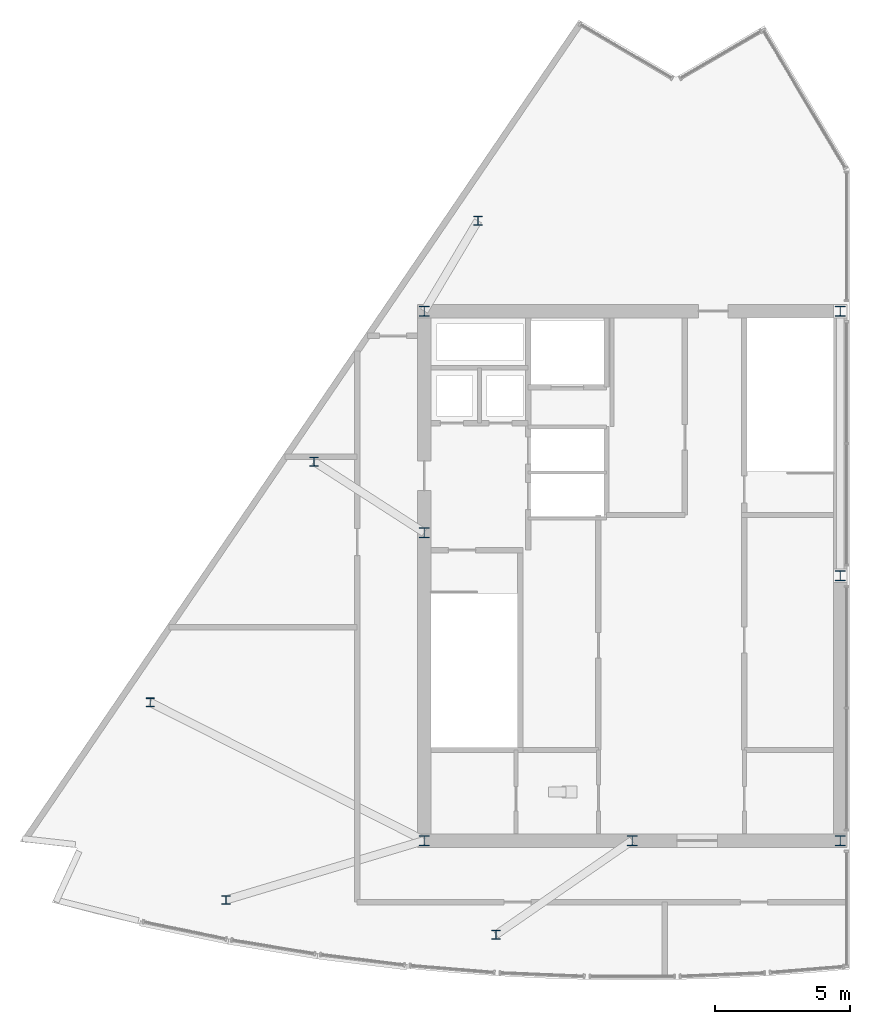
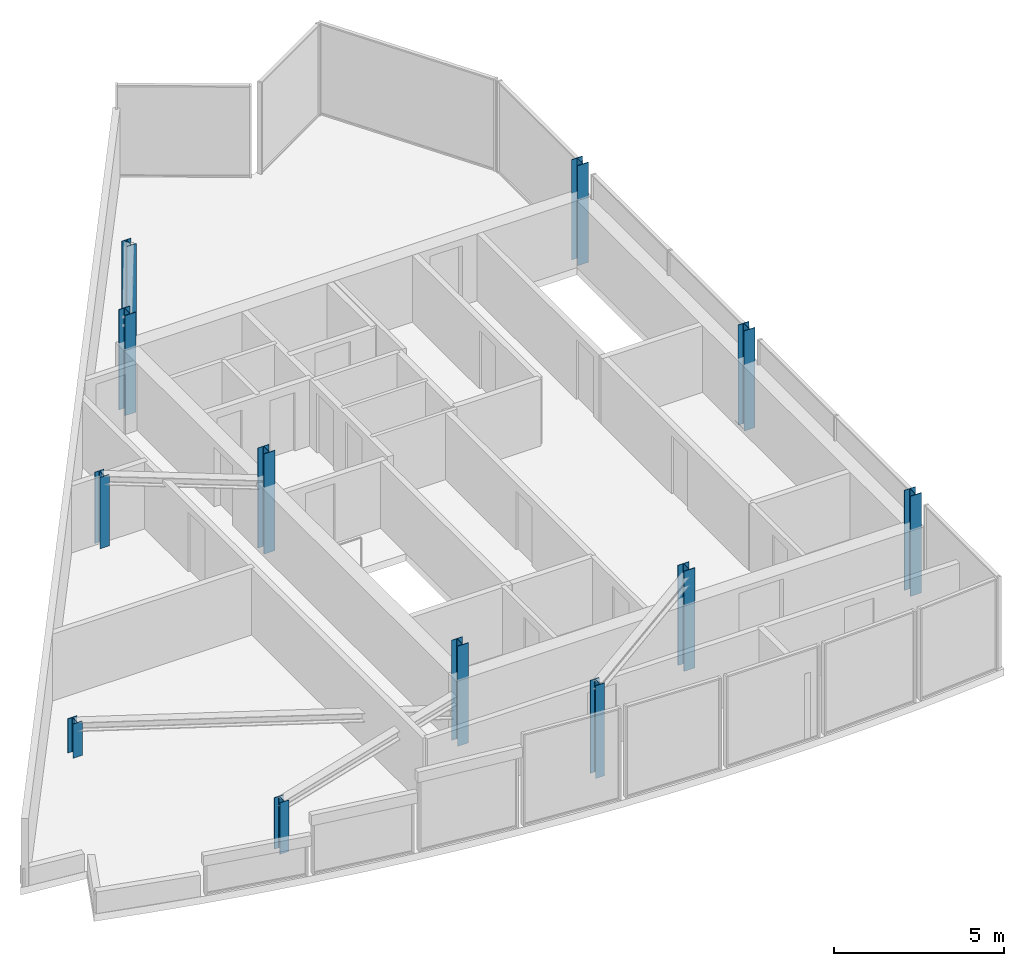
# One storey, part 1 of 7: 12 columns.
"""IFC4 building model written with IfcOpenShell, lengths in metres."""

from ifc_helpers import new_model, si_unit, direction, frame, origin, origin_2d, place, context, subcontext, project, spatial, i_section, extrude, material, material_profile, profile_set, type_object, element, save


model = new_model("IFC4")

# Units and contexts
model_context = context("Model", 3, precision=1e-05, world=origin(), true_north=direction((0.0, 1.0)))
body_context = subcontext(model_context, "Body", "Model", "MODEL_VIEW")
ifc_project = project(units=[si_unit("LENGTHUNIT", "METRE"), si_unit("AREAUNIT", "SQUARE_METRE"), si_unit("VOLUMEUNIT", "CUBIC_METRE"), si_unit("PLANEANGLEUNIT", "RADIAN"), si_unit("MASSUNIT", "GRAM", prefix="KILO")], contexts=[model_context])

# Site, building, storey
site_placement = place(None, origin())
site = spatial("IfcSite", under=ifc_project, at=site_placement, CompositionType="ELEMENT")
building_placement = place(site_placement, origin())
building = spatial("IfcBuilding", under=site, at=building_placement, Name="Savorim Split Tower", CompositionType="ELEMENT")
storey_placement = place(building_placement, frame((0.0, 0.0, 319.199951171875)))
storey = spatial("IfcBuildingStorey", under=building, at=storey_placement, Name="Crown L85 Plant", CompositionType="ELEMENT", Elevation=319.199951171875)

# Columns
ifc_material = material(Name="Steel S355", Category="steel")
ifc_material_profile_1 = material_profile(ifc_material, i_section(OverallWidth=0.30908203125, OverallDepth=0.330078125, WebThickness=0.011474609375, FlangeThickness=0.01904296875, FilletRadius=0.027099609375, at=origin_2d()), Name="HD 320x158")
ifc_profile_set_1 = profile_set([ifc_material_profile_1], Name="Steel S355")
column_type_1 = type_object("IfcColumnType", Name="COL-HD-158", PredefinedType="COLUMN", material=ifc_profile_set_1)
column_1_placement = place(storey_placement, frame((-15.037109375, -11.6015625, 0.0), z_axis=(0.0, 0.0, 1.0), x_axis=(1.0, 0.0, 0.0)))
element("IfcColumn", 1, at=column_1_placement, inside=storey, type_object=column_type_1, Name="Crown L85 Plant West Crown Column WC-1", PredefinedType="COLUMN", context=body_context, shape_type="SweptSolid", body=[
    extrude(i_section(OverallWidth=0.30908203125, OverallDepth=0.330078125, WebThickness=0.011474609375, FlangeThickness=0.01904296875, FilletRadius=0.027099609375, at=origin_2d()), origin(), (0.0, 0.0, 1.0), 1.846923828125),
])
column_2_placement = place(storey_placement, frame((-5.039794921875, -12.885009765625, 0.0), z_axis=(0.0, 0.0, 1.0), x_axis=(1.0, 0.0, 0.0)))
element("IfcColumn", 2, at=column_2_placement, inside=storey, type_object=column_type_1, Name="Crown L85 Plant West Crown Column WC-2", PredefinedType="COLUMN", context=body_context, shape_type="SweptSolid", body=[
    extrude(i_section(OverallWidth=0.30908203125, OverallDepth=0.330078125, WebThickness=0.011474609375, FlangeThickness=0.01904296875, FilletRadius=0.027099609375, at=origin_2d()), origin(), (0.0, 0.0, 1.0), 3.340087890625),
])
column_3_placement = place(storey_placement, frame((-17.84033203125, -4.288818359375, 0.0), z_axis=(0.0, 0.0, 1.0), x_axis=(1.0, 0.0, 0.0)))
element("IfcColumn", 3, at=column_3_placement, inside=storey, type_object=column_type_1, Name="Crown L85 Plant West Crown Column WC-3", PredefinedType="COLUMN", context=body_context, shape_type="SweptSolid", body=[
    extrude(i_section(OverallWidth=0.30908203125, OverallDepth=0.330078125, WebThickness=0.011474609375, FlangeThickness=0.01904296875, FilletRadius=0.027099609375, at=origin_2d()), origin(), (0.0, 0.0, 1.0), 1.230224609375),
])
column_4_placement = place(storey_placement, frame((-11.775390625, 4.626708984375, 0.0), z_axis=(0.0, 0.0, 1.0), x_axis=(1.0, 0.0, 0.0)))
element("IfcColumn", 4, at=column_4_placement, inside=storey, type_object=column_type_1, Name="Crown L85 Plant West Crown Column WC-4", PredefinedType="COLUMN", context=body_context, shape_type="SweptSolid", body=[
    extrude(i_section(OverallWidth=0.30908203125, OverallDepth=0.330078125, WebThickness=0.011474609375, FlangeThickness=0.01904296875, FilletRadius=0.027099609375, at=origin_2d()), origin(), (0.0, 0.0, 1.0), 2.564453125),
])
column_5_placement = place(storey_placement, frame((-5.710205078125, 13.542236328125, 0.0), z_axis=(0.0, 0.0, 1.0), x_axis=(1.0, 0.0, 0.0)))
element("IfcColumn", 5, at=column_5_placement, inside=storey, type_object=column_type_1, Name="Crown L85 Plant West Crown Column WC-5", PredefinedType="COLUMN", context=body_context, shape_type="SweptSolid", body=[
    extrude(i_section(OverallWidth=0.30908203125, OverallDepth=0.330078125, WebThickness=0.011474609375, FlangeThickness=0.01904296875, FilletRadius=0.027099609375, at=origin_2d()), origin(), (0.0, 0.0, 1.0), 3.340087890625),
])
ifc_material_profile_2 = material_profile(ifc_material, i_section(OverallWidth=0.3740234375, OverallDepth=0.3720703125, WebThickness=0.01220703125, FlangeThickness=0.02001953125, FilletRadius=0.014892578125, at=origin_2d()), Name="HD 360x196")
ifc_profile_set_2 = profile_set([ifc_material_profile_2], Name="Steel S355")
column_type_2 = type_object("IfcColumnType", Name="COL-HD-196", PredefinedType="COLUMN", material=ifc_profile_set_2)
for number, where, z_axis, x_axis, name in (
    (6, (-7.699951171875, -9.39990234375, 0.0), (0.0, 0.0, 1.0), (1.0, 0.0, 0.0), "Crown L85 Plant Core Structural Column TC-C1"),
    (7, (7.699951171875, -9.39990234375, 0.0), (0.0, 0.0, 1.0), (1.0, 0.0, 0.0), "Crown L85 Plant Core Structural Column TC-C2"),
    (8, (7.699951171875, 10.199951171875, 0.0), (0.0, 0.0, 1.0), (1.0, 0.0, 0.0), "Crown L85 Plant Core Structural Column TC-C3"),
    (9, (-7.699951171875, 10.199951171875, 0.0), (0.0, 0.0, 1.0), (1.0, 0.0, 0.0), "Crown L85 Plant Core Structural Column TC-C4"),
    (10, (0.0, -9.39990234375, 0.0), (0.0, 0.0, 1.0), (1.0, 0.0, 0.0), "Crown L85 Plant Core Structural Column TC-C5"),
    (11, (7.699951171875, 0.39990234375, 0.0), (0.0, 0.0, 1.0), (1.0, 0.0, 0.0), "Crown L85 Plant Core Structural Column TC-C6"),
    (12, (-7.699951171875, 2.0, 0.0), (0.0, 0.0, 1.0), (1.0, 0.0, 0.0), "Crown L85 Plant Core Structural Column TC-C7"),
):
    element("IfcColumn", number, at=place(storey_placement, frame(where, z_axis=z_axis, x_axis=x_axis)), inside=storey, type_object=column_type_2, Name=name, PredefinedType="COLUMN", context=body_context, shape_type="SweptSolid", body=[
        extrude(i_section(OverallWidth=0.3740234375, OverallDepth=0.3720703125, WebThickness=0.01220703125, FlangeThickness=0.02001953125, FilletRadius=0.014892578125, at=origin_2d()), origin(), (0.0, 0.0, 1.0), 3.60009765625),
    ])

save(model, "model.ifc")
